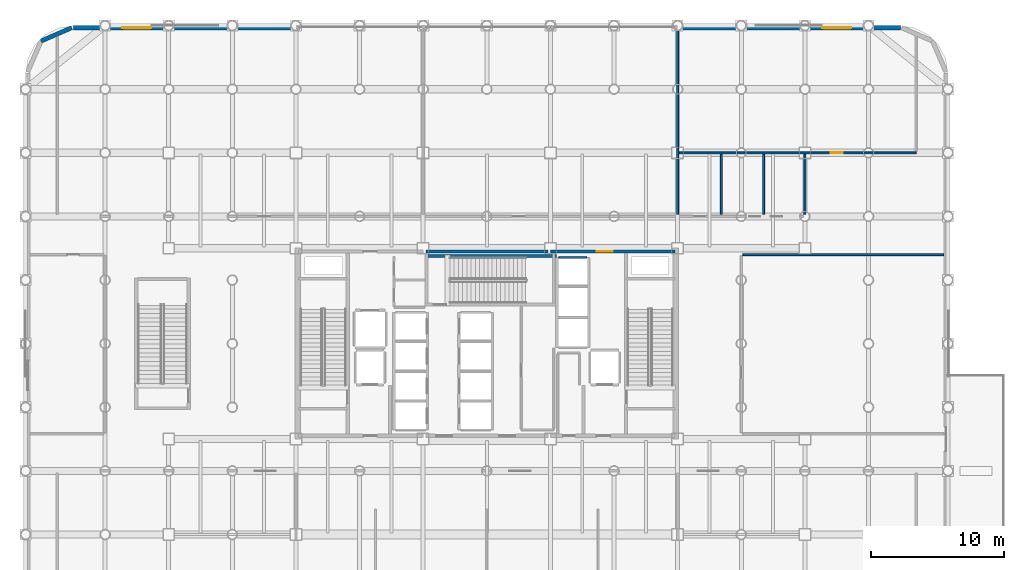
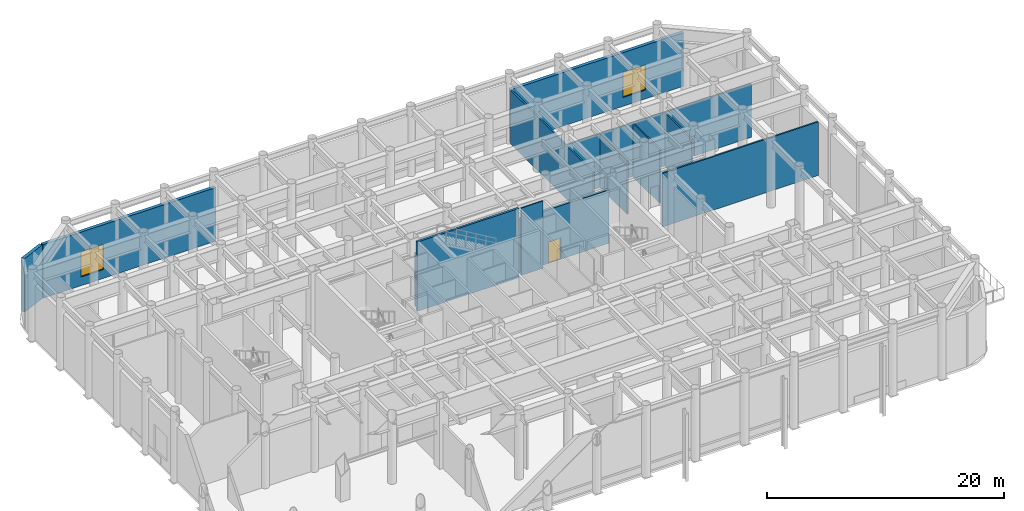
# One storey, part 17 of 23: 13 walls, 2 doors, 2 windows, 4 openings.
"""IFC4 building model written with IfcOpenShell, lengths in metres."""

from ifc_helpers import new_model, si_unit, direction, frame, frame_2d, origin, place, context, subcontext, project, spatial, rectangle, extrude, material, layer, layer_set, type_object, element, fill, save


model = new_model("IFC4")

# Units and contexts
model_context = context("Model", 3, precision=1e-05, world=origin(), true_north=direction((0.0, 1.0)))
body_context = subcontext(model_context, "Body", "Model", "MODEL_VIEW")
ifc_project = project(units=[si_unit("LENGTHUNIT", "METRE"), si_unit("AREAUNIT", "SQUARE_METRE"), si_unit("VOLUMEUNIT", "CUBIC_METRE"), si_unit("PLANEANGLEUNIT", "RADIAN"), si_unit("MASSUNIT", "GRAM", prefix="KILO")], contexts=[model_context])

# Site, building, storey
site_placement = place(None, origin())
site = spatial("IfcSite", under=ifc_project, at=site_placement, CompositionType="ELEMENT")
building_placement = place(site_placement, origin())
building = spatial("IfcBuilding", under=site, at=building_placement, Name="Kallvorn Hotel Tower", CompositionType="ELEMENT")
storey_placement = place(building_placement, frame((0.0, 0.0, 12.0)))
storey = spatial("IfcBuildingStorey", under=building, at=storey_placement, Name="L02", CompositionType="ELEMENT", Elevation=12.0)

# Wall, opening, window
ifc_material_1 = material(Name="Precast basalt-clad insulated concrete wall C40/50", Category="masonry")
ifc_layer_1 = layer(ifc_material_1, 0.320068359375)
ifc_layer_set_1 = layer_set([ifc_layer_1], Name="WL_EXT_BAY_320")
wall_type_1 = type_object("IfcWallType", Name="WL_EXT_BAY_320", PredefinedType="SOLIDWALL", material=ifc_layer_set_1)
wall_1_placement = place(storey_placement, frame((-31.199951171875, 23.840087890625, 0.0), z_axis=(0.0, 0.0, 1.0), x_axis=(1.0, 0.0, 0.0)))
wall_1 = element("IfcWall", 1, at=wall_1_placement, inside=storey, type_object=wall_type_1, Name="L02 Podium Exterior Wall EW-L02-NW", PredefinedType="SOLIDWALL", context=body_context, shape_type="SweptSolid", body=[
    extrude(rectangle(XDim=16.849853515625, YDim=0.320068359375, at=frame_2d((8.4248046875, 0.0))), origin(), (0.0, 0.0, 1.0), 5.52001953125),
])
opening_1_placement = place(wall_1_placement, frame((3.699951171875, 0.0, 0.89990234375)))
opening_1 = element("IfcOpeningElement", 2, at=opening_1_placement, cuts=wall_1, Name="Opening W03", PredefinedType="OPENING", context=body_context, shape_type="SweptSolid", body=[
    extrude(rectangle(XDim=2.199951171875, YDim=2.60009765625, at=frame_2d((1.10009765625, 1.300048828125))), frame((0.0, 0.175048828125, 0.0), z_axis=(0.0, -1.0, 0.0), x_axis=(1.0, 0.0, 0.0)), (0.0, 0.0, 1.0), 0.35009765625),
])
ifc_material_2 = material(Name="Double-glazed low-e solar-control dark glass", Category="glass")
window_type = type_object("IfcWindowType", Name="WN_CASC_2200x2600", PartitioningType="SINGLE_PANEL", PredefinedType="WINDOW", material=ifc_material_2)
window_1_placement = place(opening_1_placement, origin())
window_1 = element("IfcWindow", 3, at=window_1_placement, inside=storey, type_object=window_type, Name="L02 Podium Window EW-L02-NW", OverallHeight=2.60009765625, OverallWidth=2.199951171875, PartitioningType="SINGLE_PANEL", PredefinedType="WINDOW", context=body_context, shape_type="SweptSolid", body=[
    extrude(rectangle(XDim=2.199951171875, YDim=2.60009765625, at=frame_2d((1.10009765625, 1.300048828125))), frame((0.0, 0.030029296875, 0.0), z_axis=(0.0, -1.0, 0.0), x_axis=(1.0, 0.0, 0.0)), (0.0, 0.0, 1.0), 0.06005859375),
])
fill(opening_1, window_1)

wall_2_placement = place(storey_placement, frame((14.35009765625, 23.840087890625, 0.0), z_axis=(0.0, 0.0, 1.0), x_axis=(1.0, 0.0, 0.0)))
wall_2 = element("IfcWall", 4, at=wall_2_placement, inside=storey, type_object=wall_type_1, Name="L02 Podium Exterior Wall EW-L02-NE", PredefinedType="SOLIDWALL", context=body_context, shape_type="SweptSolid", body=[
    extrude(rectangle(XDim=16.849853515625, YDim=0.320068359375, at=frame_2d((8.4248046875, 0.0))), origin(), (0.0, 0.0, 1.0), 5.52001953125),
])
opening_2_placement = place(wall_2_placement, frame((10.949951171875, 0.0, 0.89990234375)))
opening_2 = element("IfcOpeningElement", 5, at=opening_2_placement, cuts=wall_2, Name="Opening W03", PredefinedType="OPENING", context=body_context, shape_type="SweptSolid", body=[
    extrude(rectangle(XDim=2.199951171875, YDim=2.60009765625, at=frame_2d((1.10009765625, 1.300048828125))), frame((0.0, 0.175048828125, 0.0), z_axis=(0.0, -1.0, 0.0), x_axis=(1.0, 0.0, 0.0)), (0.0, 0.0, 1.0), 0.35009765625),
])
window_2_placement = place(opening_2_placement, origin())
window_2 = element("IfcWindow", 6, at=window_2_placement, inside=storey, type_object=window_type, Name="L02 Podium Window EW-L02-NE", OverallHeight=2.60009765625, OverallWidth=2.199951171875, PartitioningType="SINGLE_PANEL", PredefinedType="WINDOW", context=body_context, shape_type="SweptSolid", body=[
    extrude(rectangle(XDim=2.199951171875, YDim=2.60009765625, at=frame_2d((1.10009765625, 1.300048828125))), frame((0.0, 0.030029296875, 0.0), z_axis=(0.0, -1.0, 0.0), x_axis=(1.0, 0.0, 0.0)), (0.0, 0.0, 1.0), 0.06005859375),
])
fill(opening_2, window_2)

# Walls
wall_3_placement = place(storey_placement, frame((-31.320068359375, 23.837890625, 0.0), z_axis=(0.0, 0.0, 1.0), x_axis=(-0.917063898521, -0.3987402739, 0.0)))
element("IfcWall", 7, at=wall_3_placement, inside=storey, type_object=wall_type_1, Name="L02 Rounded Corner Exterior Wall NW1", PredefinedType="SOLIDWALL", context=body_context, shape_type="SweptSolid", body=[
    extrude(rectangle(XDim=2.521484375, YDim=0.320068359375, at=frame_2d((1.2607421875, 0.0))), origin(), (0.0, 0.0, 1.0), 5.52001953125),
])
ifc_material_3 = material(Name="Concrete C40/50", Category="concrete")
ifc_layer_2 = layer(ifc_material_3, 0.199951171875)
ifc_layer_set_2 = layer_set([ifc_layer_2], Name="WL_HOIST_200")
wall_type_2 = type_object("IfcWallType", Name="WL_HOIST_200", PredefinedType="SOLIDWALL", material=ifc_layer_set_2)
wall_4_placement = place(storey_placement, frame((-4.64990234375, 6.610107421875, -0.219970703125), z_axis=(0.0, 0.0, 1.0), x_axis=(1.0, 0.0, 0.0)))
element("IfcWall", 8, at=wall_4_placement, inside=storey, type_object=wall_type_2, Name="L02 Stair ST3 Shaft North Wall", PredefinedType="SOLIDWALL", context=body_context, shape_type="SweptSolid", body=[
    extrude(rectangle(XDim=9.89990234375, YDim=0.199951171875, at=frame_2d((4.949951171875, 0.0))), origin(), (0.0, 0.0, 1.0), 7.139892578125),
])
ifc_material_4 = material(Name="Fire-rated double-layer acoustic gypsum drywall EI 60")
ifc_layer_3 = layer(ifc_material_4, 0.1201171875)
ifc_layer_set_3 = layer_set([ifc_layer_3], Name="WL_INT_120")
wall_type_3 = type_object("IfcWallType", Name="WL_INT_120", PredefinedType="PARTITIONING", material=ifc_layer_set_3)
wall_5_placement = place(storey_placement, frame((5.43994140625, 6.5, 0.0), z_axis=(0.0, 0.0, 1.0), x_axis=(1.0, 0.0, 0.0)))
element("IfcWall", 9, at=wall_5_placement, inside=storey, type_object=wall_type_3, Name="L02 OB-03 Hoistway Divider", PredefinedType="PARTITIONING", context=body_context, shape_type="SweptSolid", body=[
    extrude(rectangle(XDim=2.1201171875, YDim=0.1201171875, at=frame_2d((1.06005859375, 0.0))), origin(), (0.0, 0.0, 1.0), 6.919921875),
])
ifc_material_5 = material(Name="Fire-rated double-layer acoustic gypsum drywall EI 60")
ifc_layer_4 = layer(ifc_material_5, 0.14990234375)
ifc_layer_set_4 = layer_set([ifc_layer_4], Name="WL_PART_150")
wall_type_4 = type_object("IfcWallType", Name="WL_PART_150", PredefinedType="PARTITIONING", material=ifc_layer_set_4)
wall_6_placement = place(storey_placement, frame((19.320068359375, 6.716796875, 0.0), z_axis=(0.0, 0.0, 1.0), x_axis=(1.0, 0.0, 0.0)))
element("IfcWall", 10, at=wall_6_placement, inside=storey, type_object=wall_type_4, Name="L02 East Cascade Terrace Banquet Gallery Partition", PredefinedType="PARTITIONING", context=body_context, shape_type="SweptSolid", body=[
    extrude(rectangle(XDim=15.14990234375, YDim=0.14990234375, at=frame_2d((7.574951171875, 0.0))), origin(), (0.0, 0.0, 1.0), 5.52001953125),
])

# Wall, opening, door
wall_7_placement = place(storey_placement, frame((14.52001953125, 14.39990234375, 0.0), z_axis=(0.0, 0.0, 1.0), x_axis=(1.0, 0.0, 0.0)))
wall_7 = element("IfcWall", 11, at=wall_7_placement, inside=storey, type_object=wall_type_4, Name="L02 Audio-Visual and Chair Storage Room Partition", PredefinedType="PARTITIONING", context=body_context, shape_type="SweptSolid", body=[
    extrude(rectangle(XDim=17.8798828125, YDim=0.14990234375, at=frame_2d((8.93994140625, 0.0))), origin(), (0.0, 0.0, 1.0), 5.52001953125),
])
opening_3_placement = place(wall_7_placement, frame((11.429931640625, 0.0, 0.0)))
opening_3 = element("IfcOpeningElement", 12, at=opening_3_placement, cuts=wall_7, Name="Opening SVD1", PredefinedType="OPENING", context=body_context, shape_type="SweptSolid", body=[
    extrude(rectangle(XDim=0.89990234375, YDim=2.10009765625, at=frame_2d((0.449951171875, 1.050048828125))), frame((0.0, 0.08984375, 0.0), z_axis=(0.0, -1.0, 0.0), x_axis=(1.0, 0.0, 0.0)), (0.0, 0.0, 1.0), 0.179931640625),
])
ifc_material_6 = material(Name="Galvanised painted steel fire-rated door assembly", Category="steel")
door_type_1 = type_object("IfcDoorType", Name="DR_SERV_900x2100", OperationType="NOTDEFINED", PredefinedType="DOOR", material=ifc_material_6)
door_1_placement = place(opening_3_placement, origin())
door_1 = element("IfcDoor", 13, at=door_1_placement, inside=storey, type_object=door_type_1, Name="L02 Audio-Visual and Chair Storage Room Door", OperationType="SINGLE_SWING_RIGHT", OverallHeight=2.10009765625, OverallWidth=0.89990234375, PredefinedType="DOOR", context=body_context, shape_type="SweptSolid", body=[
    extrude(rectangle(XDim=0.89990234375, YDim=2.10009765625, at=frame_2d((0.449951171875, 1.050048828125))), frame((0.0, 0.02490234375, 0.0), z_axis=(0.0, -1.0, 0.0), x_axis=(1.0, 0.0, 0.0)), (0.0, 0.0, 1.0), 0.050048828125),
])
fill(opening_3, door_1)

# Walls
wall_8_placement = place(storey_placement, frame((14.39990234375, 9.75, 0.0), z_axis=(0.0, 0.0, 1.0), x_axis=(0.0, 1.0, 0.0)))
element("IfcWall", 14, at=wall_8_placement, inside=storey, type_object=wall_type_4, Name="L02 VIP Bridal Dining Salon Partition", PredefinedType="PARTITIONING", context=body_context, shape_type="SweptSolid", body=[
    extrude(rectangle(XDim=13.919921875, YDim=0.14990234375, at=frame_2d((6.9599609375, 0.0))), origin(), (0.0, 0.0, 1.0), 5.52001953125),
])
ifc_material_7 = material(Name="Moisture-resistant acoustic plumbing chase wall EI 60")
ifc_layer_5 = layer(ifc_material_7, 0.139892578125)
ifc_layer_set_5 = layer_set([ifc_layer_5], Name="WL_PLUMB_140")
wall_type_5 = type_object("IfcWallType", Name="WL_PLUMB_140", PredefinedType="PLUMBINGWALL", material=ifc_layer_set_5)
for number, where, z_axis, x_axis, name in (
    (15, (17.701904296875, 9.75, 0.0), (0.0, 0.0, 1.0), (0.0, 1.0, 0.0), "L02 Public Female Restroom WC Partition"),
    (16, (20.885009765625, 9.75, 0.0), (0.0, 0.0, 1.0), (0.0, 1.0, 0.0), "L02 Accessible Restroom WC Partition"),
    (17, (24.0, 9.75, 0.0), (0.0, 0.0, 1.0), (0.0, 1.0, 0.0), "L02 Accessible Restroom WC Partition"),
):
    element("IfcWall", number, at=place(storey_placement, frame(where, z_axis=z_axis, x_axis=x_axis)), inside=storey, type_object=wall_type_5, Name=name, PredefinedType="PLUMBINGWALL", context=body_context, shape_type="SweptSolid", body=[
        extrude(rectangle(XDim=4.530029296875, YDim=0.139892578125, at=frame_2d((2.26513671875, 0.0))), origin(), (0.0, 0.0, 1.0), 5.52001953125),
    ])
ifc_material_8 = material(Name="Concrete C40/50", Category="concrete")
ifc_layer_6 = layer(ifc_material_8, 0.25)
ifc_layer_set_6 = layer_set([ifc_layer_6], Name="WL_SHAFT_250")
wall_type_6 = type_object("IfcWallType", Name="WL_SHAFT_250", PredefinedType="SOLIDWALL", material=ifc_layer_set_6)
wall_9_placement = place(storey_placement, frame((-4.60009765625, 6.949951171875, 0.0), z_axis=(0.0, 0.0, 1.0), x_axis=(1.0, 0.0, 0.0)))
element("IfcWall", 18, at=wall_9_placement, inside=storey, type_object=wall_type_6, Name="L02 Core North-Central Wall", PredefinedType="SOLIDWALL", context=body_context, shape_type="SweptSolid", body=[
    extrude(rectangle(XDim=9.2001953125, YDim=0.25, at=frame_2d((4.60009765625, 0.0))), origin(), (0.0, 0.0, 1.0), 5.52001953125),
])

# Wall, opening, door
wall_10_placement = place(storey_placement, frame((4.800048828125, 6.949951171875, 0.0), z_axis=(0.0, 0.0, 1.0), x_axis=(1.0, 0.0, 0.0)))
wall_10 = element("IfcWall", 19, at=wall_10_placement, inside=storey, type_object=wall_type_6, Name="L02 Core North-East Wall", PredefinedType="SOLIDWALL", context=body_context, shape_type="SweptSolid", body=[
    extrude(rectangle(XDim=9.39990234375, YDim=0.25, at=frame_2d((4.699951171875, 0.0))), origin(), (0.0, 0.0, 1.0), 5.52001953125),
])
opening_4_placement = place(wall_10_placement, frame((3.5, 0.0, 0.0)))
opening_4 = element("IfcOpeningElement", 20, at=opening_4_placement, cuts=wall_10, Name="Opening FD2", PredefinedType="OPENING", context=body_context, shape_type="SweptSolid", body=[
    extrude(rectangle(XDim=1.199951171875, YDim=2.199951171875, at=frame_2d((0.60009765625, 1.10009765625))), frame((0.0, 0.139892578125, 0.0), z_axis=(0.0, -1.0, 0.0), x_axis=(1.0, 0.0, 0.0)), (0.0, 0.0, 1.0), 0.280029296875),
])
ifc_material_9 = material(Name="Galvanised painted steel fire-rated door assembly", Category="steel")
door_type_2 = type_object("IfcDoorType", Name="DR_LOBBY_1200x2200", OperationType="DOUBLE_DOOR_SINGLE_SWING", PredefinedType="DOOR", material=ifc_material_9)
door_2_placement = place(opening_4_placement, origin())
door_2 = element("IfcDoor", 21, at=door_2_placement, inside=storey, type_object=door_type_2, Name="L02 Observatory Shuttle Lobby Door", OperationType="DOUBLE_DOOR_SINGLE_SWING", OverallHeight=2.199951171875, OverallWidth=1.199951171875, PredefinedType="DOOR", context=body_context, shape_type="SweptSolid", body=[
    extrude(rectangle(XDim=1.199951171875, YDim=2.199951171875, at=frame_2d((0.60009765625, 1.10009765625))), frame((0.0, 0.02490234375, 0.0), z_axis=(0.0, -1.0, 0.0), x_axis=(1.0, 0.0, 0.0)), (0.0, 0.0, 1.0), 0.050048828125),
])
fill(opening_4, door_2)

save(model, "model.ifc")
